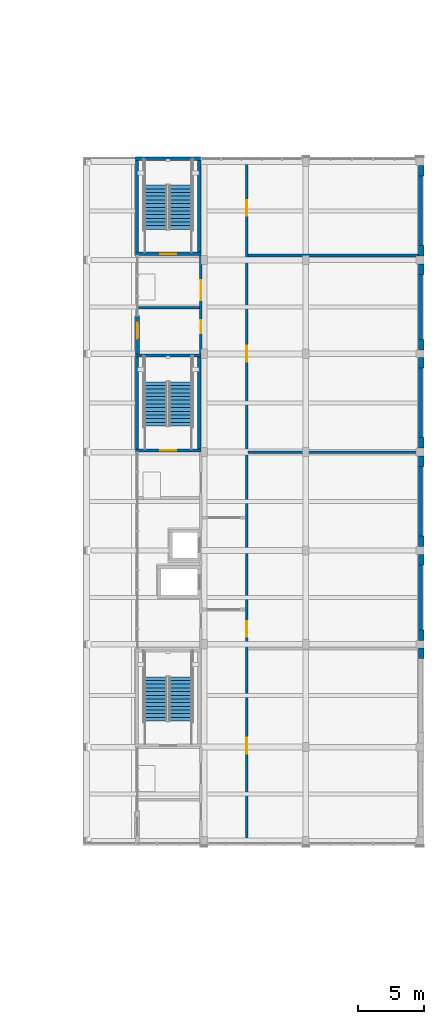
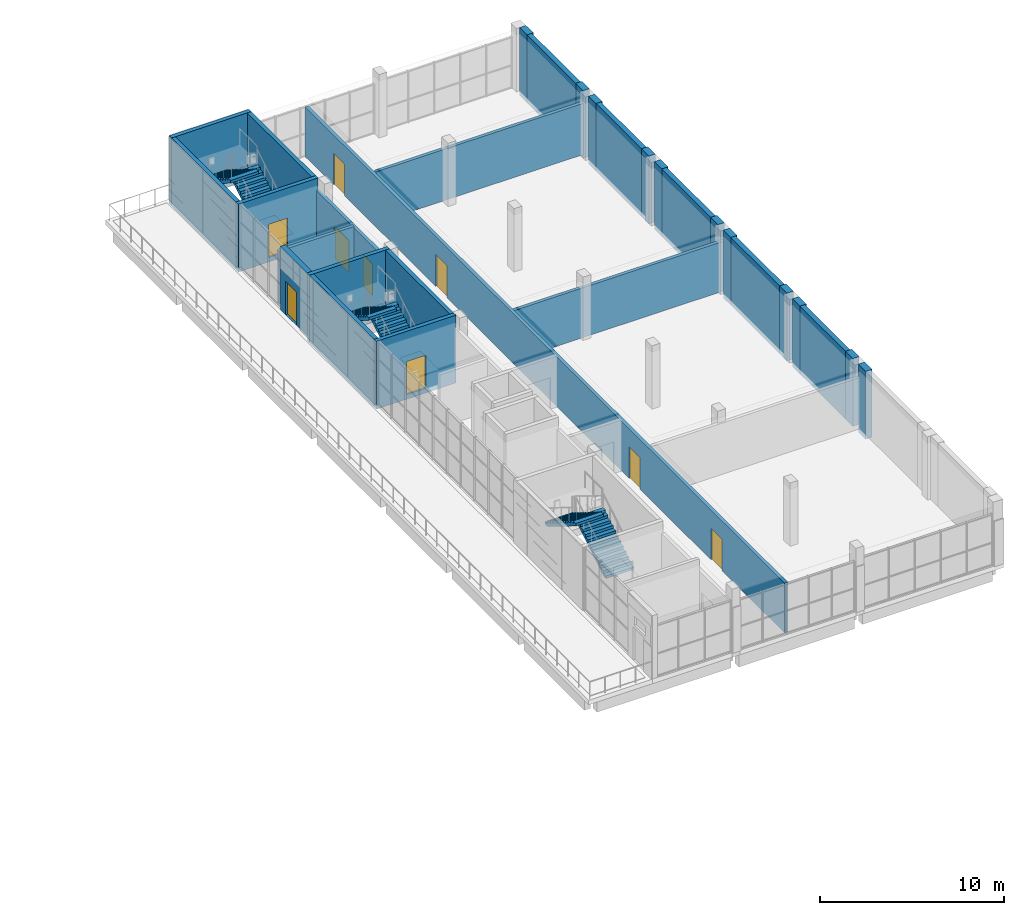
# One storey, part 28 of 36: 30 walls, 9 doors, 6 stair flights, 9 openings, 3 elements without a shape of their own.
"""IFC4 building model written with IfcOpenShell, lengths in metres."""

from ifc_helpers import new_model, si_unit, direction, frame, frame_2d, origin, place, context, subcontext, project, spatial, polyline, rectangle, outline, extrude, material, layer, layer_set, type_object, element, fill, aggregate, save


model = new_model("IFC4")

# Units and contexts
model_context = context("Model", 3, precision=1e-05, world=origin(), true_north=direction((0.0, 1.0)))
body_context = subcontext(model_context, "Body", "Model", "MODEL_VIEW")
ifc_project = project(units=[si_unit("LENGTHUNIT", "METRE"), si_unit("AREAUNIT", "SQUARE_METRE"), si_unit("VOLUMEUNIT", "CUBIC_METRE"), si_unit("PLANEANGLEUNIT", "RADIAN"), si_unit("MASSUNIT", "GRAM", prefix="KILO")], contexts=[model_context])

# Site, building, storey
site_placement = place(None, origin())
site = spatial("IfcSite", under=ifc_project, at=site_placement, CompositionType="ELEMENT")
building_placement = place(site_placement, origin())
building = spatial("IfcBuilding", under=site, at=building_placement, Name="Sun Court Science Centre", CompositionType="ELEMENT")
storey_placement = place(building_placement, frame((0.0, 0.0, 24.75)))
storey = spatial("IfcBuildingStorey", under=building, at=storey_placement, Name="L05", CompositionType="ELEMENT", Elevation=24.75)

# Wall, opening, door
ifc_material_1 = material(Name="Clay masonry", Category="masonry")
ifc_layer_1 = layer(ifc_material_1, 0.300048828125)
ifc_layer_set_1 = layer_set([ifc_layer_1], Name="Clay masonry")
wall_type_1 = type_object("IfcWallType", Name="Clay masonry infill wall 300", PredefinedType="SOLIDWALL", material=ifc_layer_set_1)
wall_1_placement = place(storey_placement, frame((82.14990234375, 66.0, 0.0), z_axis=(0.0, 0.0, 1.0), x_axis=(0.0, 1.0, 0.0)))
wall_1 = element("IfcWall", 1, at=wall_1_placement, inside=storey, type_object=wall_type_1, Name="External infill wall L05 west face of the terrace level 02", PredefinedType="SOLIDWALL", context=body_context, shape_type="SweptSolid", body=[
    extrude(rectangle(XDim=2.909912109375, YDim=0.300048828125, at=frame_2d((1.455078125, 0.0))), origin(), (0.0, 0.0, 1.0), 4.199951171875),
])
opening_1_placement = place(wall_1_placement, frame((1.14990234375, 0.0, 0.0)))
opening_1 = element("IfcOpeningElement", 2, at=opening_1_placement, cuts=wall_1, Name="Opening D-L05-019", PredefinedType="OPENING", context=body_context, shape_type="SweptSolid", body=[
    extrude(rectangle(XDim=1.199951171875, YDim=2.199951171875, at=frame_2d((0.60009765625, 1.10009765625))), frame((0.0, 0.159912109375, 0.0), z_axis=(0.0, -1.0, 0.0), x_axis=(1.0, 0.0, 0.0)), (0.0, 0.0, 1.0), 0.320068359375),
])
ifc_material_2 = material(Name="Steel and glass", Category="steel")
door_type_1 = type_object("IfcDoorType", Name="Exterior door 1200 x 2200 single", OperationType="SINGLE_SWING_LEFT", PredefinedType="DOOR", material=ifc_material_2)
door_1_placement = place(opening_1_placement, origin())
door_1 = element("IfcDoor", 3, at=door_1_placement, inside=storey, type_object=door_type_1, Name="Exterior door D-L05-019 to the west terrace", OperationType="SINGLE_SWING_RIGHT", OverallHeight=2.199951171875, OverallWidth=1.199951171875, PredefinedType="DOOR", context=body_context, shape_type="SweptSolid", body=[
    extrude(rectangle(XDim=1.199951171875, YDim=2.199951171875, at=frame_2d((0.60009765625, 1.10009765625))), frame((0.0, 0.02490234375, 0.0), z_axis=(0.0, -1.0, 0.0), x_axis=(1.0, 0.0, 0.0)), (0.0, 0.0, 1.0), 0.050048828125),
])
fill(opening_1, door_1)

# Walls
ifc_material_3 = material(Name="Gypsum board")
ifc_layer_2 = layer(ifc_material_3, 0.199951171875)
ifc_layer_set_2 = layer_set([ifc_layer_2], Name="Gypsum board")
wall_type_2 = type_object("IfcWallType", Name="Partition 200 acoustic double stud", PredefinedType="PARTITIONING", material=ifc_layer_set_2)
wall_2_placement = place(storey_placement, frame((90.60009765625, 58.5, 0.0), z_axis=(0.0, 0.0, 1.0), x_axis=(1.0, 0.0, 0.0)))
element("IfcWall", 4, at=wall_2_placement, inside=storey, type_object=wall_type_2, Name="L05 partition 007", PredefinedType="PARTITIONING", context=body_context, shape_type="SweptSolid", body=[
    extrude(rectangle(XDim=13.199951171875, YDim=0.199951171875, at=frame_2d((6.60009765625, 0.0))), origin(), (0.0, 0.0, 1.0), 3.300048828125),
])
wall_3_placement = place(storey_placement, frame((90.60009765625, 73.5, 0.0), z_axis=(0.0, 0.0, 1.0), x_axis=(1.0, 0.0, 0.0)))
element("IfcWall", 5, at=wall_3_placement, inside=storey, type_object=wall_type_2, Name="L05 partition 009", PredefinedType="PARTITIONING", context=body_context, shape_type="SweptSolid", body=[
    extrude(rectangle(XDim=12.997802734375, YDim=0.199951171875, at=frame_2d((6.4990234375, 0.0))), origin(), (0.0, 0.0, 1.0), 3.39990234375),
])
ifc_material_4 = material(Name="Concrete block", Category="concrete")
ifc_layer_3 = layer(ifc_material_4, 0.199951171875)
ifc_layer_set_3 = layer_set([ifc_layer_3], Name="Concrete block")
wall_type_3 = type_object("IfcWallType", Name="Partition 200 block EI60", PredefinedType="PARTITIONING", material=ifc_layer_set_3)
wall_4_placement = place(storey_placement, frame((82.199951171875, 69.5, 0.0), z_axis=(0.0, 0.0, 1.0), x_axis=(1.0, 0.0, 0.0)))
element("IfcWall", 6, at=wall_4_placement, inside=storey, type_object=wall_type_3, Name="L05 partition 008", PredefinedType="PARTITIONING", context=body_context, shape_type="SweptSolid", body=[
    extrude(rectangle(XDim=4.699951171875, YDim=0.199951171875, at=frame_2d((2.35009765625, 0.0))), origin(), (0.0, 0.0, 1.0), 3.5),
])

# Wall, openings, doors
ifc_material_5 = material(Name="Concrete block", Category="concrete")
ifc_layer_4 = layer(ifc_material_5, 0.199951171875)
ifc_layer_set_4 = layer_set([ifc_layer_4], Name="Concrete block")
wall_type_4 = type_object("IfcWallType", Name="Partition 200 corridor block EI120", PredefinedType="PARTITIONING", material=ifc_layer_set_4)
wall_5_placement = place(storey_placement, frame((90.5, 80.800048828125, 0.0), z_axis=(0.0, 0.0, 1.0), x_axis=(0.0, -1.0, 0.0)))
wall_5 = element("IfcWall", 7, at=wall_5_placement, inside=storey, type_object=wall_type_4, Name="L05 partition 010", PredefinedType="PARTITIONING", context=body_context, shape_type="SweptSolid", body=[
    extrude(rectangle(XDim=52.10009765625, YDim=0.199951171875, at=frame_2d((26.050048828125, 0.0))), origin(), (0.0, 0.0, 1.0), 3.300048828125),
])
opening_2_placement = place(wall_5_placement, frame((44.10009765625, 0.0, 0.0)))
opening_2 = element("IfcOpeningElement", 8, at=opening_2_placement, cuts=wall_5, Name="Opening D-L05-014", PredefinedType="OPENING", context=body_context, shape_type="SweptSolid", body=[
    extrude(rectangle(XDim=1.199951171875, YDim=2.10009765625, at=frame_2d((0.60009765625, 1.050048828125))), frame((0.0, 0.10986328125, 0.0), z_axis=(0.0, -1.0, 0.0), x_axis=(1.0, 0.0, 0.0)), (0.0, 0.0, 1.0), 0.219970703125),
])
opening_3_placement = place(wall_5_placement, frame((35.198974609375, 0.0, 0.0)))
opening_3 = element("IfcOpeningElement", 9, at=opening_3_placement, cuts=wall_5, Name="Opening D-L05-015", PredefinedType="OPENING", context=body_context, shape_type="SweptSolid", body=[
    extrude(rectangle(XDim=1.199951171875, YDim=2.10009765625, at=frame_2d((0.60009765625, 1.050048828125))), frame((0.0, 0.10986328125, 0.0), z_axis=(0.0, -1.0, 0.0), x_axis=(1.0, 0.0, 0.0)), (0.0, 0.0, 1.0), 0.219970703125),
])
opening_4_placement = place(wall_5_placement, frame((14.199951171875, 0.0, 0.0)))
opening_4 = element("IfcOpeningElement", 10, at=opening_4_placement, cuts=wall_5, Name="Opening D-L05-016", PredefinedType="OPENING", context=body_context, shape_type="SweptSolid", body=[
    extrude(rectangle(XDim=1.199951171875, YDim=2.10009765625, at=frame_2d((0.60009765625, 1.050048828125))), frame((0.0, 0.10986328125, 0.0), z_axis=(0.0, -1.0, 0.0), x_axis=(1.0, 0.0, 0.0)), (0.0, 0.0, 1.0), 0.219970703125),
])
opening_5_placement = place(wall_5_placement, frame((3.074951171875, 0.0, 0.0)))
opening_5 = element("IfcOpeningElement", 11, at=opening_5_placement, cuts=wall_5, Name="Opening D-L05-017", PredefinedType="OPENING", context=body_context, shape_type="SweptSolid", body=[
    extrude(rectangle(XDim=1.199951171875, YDim=2.10009765625, at=frame_2d((0.60009765625, 1.050048828125))), frame((0.0, 0.10986328125, 0.0), z_axis=(0.0, -1.0, 0.0), x_axis=(1.0, 0.0, 0.0)), (0.0, 0.0, 1.0), 0.219970703125),
])
ifc_material_6 = material(Name="Steel", Category="steel")
door_type_2 = type_object("IfcDoorType", Name="Door 1200x2100 single leaf FD60", OperationType="NOTDEFINED", PredefinedType="DOOR", material=ifc_material_6)
door_2_placement = place(opening_2_placement, origin())
door_2 = element("IfcDoor", 12, at=door_2_placement, inside=storey, type_object=door_type_2, Name="Door D-L05-014", OperationType="SINGLE_SWING_LEFT", OverallHeight=2.10009765625, OverallWidth=1.199951171875, PredefinedType="DOOR", context=body_context, shape_type="SweptSolid", body=[
    extrude(rectangle(XDim=1.199951171875, YDim=2.10009765625, at=frame_2d((0.60009765625, 1.050048828125))), frame((0.0, 0.02490234375, 0.0), z_axis=(0.0, -1.0, 0.0), x_axis=(1.0, 0.0, 0.0)), (0.0, 0.0, 1.0), 0.050048828125),
])
fill(opening_2, door_2)
door_3_placement = place(opening_3_placement, origin())
door_3 = element("IfcDoor", 13, at=door_3_placement, inside=storey, type_object=door_type_2, Name="Door D-L05-015", OperationType="SINGLE_SWING_LEFT", OverallHeight=2.10009765625, OverallWidth=1.199951171875, PredefinedType="DOOR", context=body_context, shape_type="SweptSolid", body=[
    extrude(rectangle(XDim=1.199951171875, YDim=2.10009765625, at=frame_2d((0.60009765625, 1.050048828125))), frame((0.0, 0.02490234375, 0.0), z_axis=(0.0, -1.0, 0.0), x_axis=(1.0, 0.0, 0.0)), (0.0, 0.0, 1.0), 0.050048828125),
])
fill(opening_3, door_3)
door_4_placement = place(opening_4_placement, origin())
door_4 = element("IfcDoor", 14, at=door_4_placement, inside=storey, type_object=door_type_2, Name="Door D-L05-016", OperationType="SINGLE_SWING_RIGHT", OverallHeight=2.10009765625, OverallWidth=1.199951171875, PredefinedType="DOOR", context=body_context, shape_type="SweptSolid", body=[
    extrude(rectangle(XDim=1.199951171875, YDim=2.10009765625, at=frame_2d((0.60009765625, 1.050048828125))), frame((0.0, 0.02490234375, 0.0), z_axis=(0.0, -1.0, 0.0), x_axis=(1.0, 0.0, 0.0)), (0.0, 0.0, 1.0), 0.050048828125),
])
fill(opening_4, door_4)
door_5_placement = place(opening_5_placement, origin())
door_5 = element("IfcDoor", 15, at=door_5_placement, inside=storey, type_object=door_type_2, Name="Door D-L05-017", OperationType="SINGLE_SWING_RIGHT", OverallHeight=2.10009765625, OverallWidth=1.199951171875, PredefinedType="DOOR", context=body_context, shape_type="SweptSolid", body=[
    extrude(rectangle(XDim=1.199951171875, YDim=2.10009765625, at=frame_2d((0.60009765625, 1.050048828125))), frame((0.0, 0.02490234375, 0.0), z_axis=(0.0, -1.0, 0.0), x_axis=(1.0, 0.0, 0.0)), (0.0, 0.0, 1.0), 0.050048828125),
])
fill(opening_5, door_5)

wall_6_placement = place(storey_placement, frame((87.0, 66.001953125, 0.0), z_axis=(0.0, 0.0, 1.0), x_axis=(0.0, 1.0, 0.0)))
wall_6 = element("IfcWall", 16, at=wall_6_placement, inside=storey, type_object=wall_type_4, Name="L05 partition 015", PredefinedType="PARTITIONING", context=body_context, shape_type="SweptSolid", body=[
    extrude(rectangle(XDim=7.49609375, YDim=0.199951171875, at=frame_2d((3.748046875, 0.0))), origin(), (0.0, 0.0, 1.0), 3.39990234375),
])
opening_6_placement = place(wall_6_placement, frame((4.097900390625, 0.0, 0.0)))
opening_6 = element("IfcOpeningElement", 17, at=opening_6_placement, cuts=wall_6, Name="Opening D-L05-010", PredefinedType="OPENING", context=body_context, shape_type="SweptSolid", body=[
    extrude(rectangle(XDim=1.5, YDim=2.10009765625, at=frame_2d((0.75, 1.050048828125))), frame((0.0, 0.10986328125, 0.0), z_axis=(0.0, -1.0, 0.0), x_axis=(1.0, 0.0, 0.0)), (0.0, 0.0, 1.0), 0.219970703125),
])
opening_7_placement = place(wall_6_placement, frame((1.548095703125, 0.0, 0.0)))
opening_7 = element("IfcOpeningElement", 18, at=opening_7_placement, cuts=wall_6, Name="Opening D-L05-013", PredefinedType="OPENING", context=body_context, shape_type="SweptSolid", body=[
    extrude(rectangle(XDim=1.0, YDim=2.10009765625, at=frame_2d((0.5, 1.050048828125))), frame((0.0, 0.10986328125, 0.0), z_axis=(0.0, -1.0, 0.0), x_axis=(1.0, 0.0, 0.0)), (0.0, 0.0, 1.0), 0.219970703125),
])
ifc_material_7 = material(Name="Steel", Category="steel")
door_type_3 = type_object("IfcDoorType", Name="Door 1000x2100 single leaf FD30S", OperationType="NOTDEFINED", PredefinedType="DOOR", material=ifc_material_7)
door_6_placement = place(opening_7_placement, origin())
door_6 = element("IfcDoor", 19, at=door_6_placement, inside=storey, type_object=door_type_3, Name="Door D-L05-013", OperationType="SINGLE_SWING_RIGHT", OverallHeight=2.10009765625, OverallWidth=1.0, PredefinedType="DOOR", context=body_context, shape_type="SweptSolid", body=[
    extrude(rectangle(XDim=1.0, YDim=2.10009765625, at=frame_2d((0.5, 1.050048828125))), frame((0.0, 0.02490234375, 0.0), z_axis=(0.0, -1.0, 0.0), x_axis=(1.0, 0.0, 0.0)), (0.0, 0.0, 1.0), 0.050048828125),
])
fill(opening_7, door_6)
ifc_material_8 = material(Name="Steel", Category="steel")
door_type_4 = type_object("IfcDoorType", Name="Door 1500x2100 double leaf FD60", OperationType="DOUBLE_DOOR_SINGLE_SWING", PredefinedType="DOOR", material=ifc_material_8)
door_7_placement = place(opening_6_placement, origin())
door_7 = element("IfcDoor", 20, at=door_7_placement, inside=storey, type_object=door_type_4, Name="Door D-L05-010", OperationType="DOUBLE_DOOR_SINGLE_SWING", OverallHeight=2.10009765625, OverallWidth=1.5, PredefinedType="DOOR", context=body_context, shape_type="SweptSolid", body=[
    extrude(rectangle(XDim=1.5, YDim=2.10009765625, at=frame_2d((0.75, 1.050048828125))), frame((0.0, 0.02490234375, 0.0), z_axis=(0.0, -1.0, 0.0), x_axis=(1.0, 0.0, 0.0)), (0.0, 0.0, 1.0), 0.050048828125),
])
fill(opening_6, door_7)

# Walls
ifc_material_9 = material(Name="Concrete C30/37", Category="concrete")
ifc_layer_5 = layer(ifc_material_9, 0.39990234375)
ifc_layer_set_5 = layer_set([ifc_layer_5], Name="Concrete C30/37")
wall_type_5 = type_object("IfcWallType", Name="RC party wall exterior 400", PredefinedType="SOLIDWALL", material=ifc_layer_set_5)
for number, where, z_axis, x_axis, name in (
    (21, (103.800048828125, 42.75, -0.300048828125), (0.0, 0.0, 1.0), (0.0, 1.0, 0.0), "East party wall L05"),
    (22, (103.800048828125, 44.14990234375, -0.300048828125), (0.0, 0.0, 1.0), (0.0, 1.0, 0.0), "East party wall L05"),
    (23, (103.800048828125, 49.89990234375, -0.300048828125), (0.0, 0.0, 1.0), (0.0, 1.0, 0.0), "East party wall L05"),
    (24, (103.800048828125, 51.300048828125, -0.300048828125), (0.0, 0.0, 1.0), (0.0, 1.0, 0.0), "East party wall L05"),
    (25, (103.800048828125, 57.39990234375, -0.300048828125), (0.0, 0.0, 1.0), (0.0, 1.0, 0.0), "East party wall L05"),
    (26, (103.800048828125, 58.800048828125, -0.300048828125), (0.0, 0.0, 1.0), (0.0, 1.0, 0.0), "East party wall L05"),
    (27, (103.800048828125, 64.89990234375, -0.300048828125), (0.0, 0.0, 1.0), (0.0, 1.0, 0.0), "East party wall L05"),
    (28, (103.800048828125, 66.300048828125, -0.300048828125), (0.0, 0.0, 1.0), (0.0, 1.0, 0.0), "East party wall L05"),
    (29, (103.800048828125, 72.050048828125, -0.300048828125), (0.0, 0.0, 1.0), (0.0, 1.0, 0.0), "East party wall L05"),
    (30, (103.800048828125, 73.449951171875, -0.300048828125), (0.0, 0.0, 1.0), (0.0, 1.0, 0.0), "East party wall L05"),
    (31, (103.800048828125, 79.550048828125, -0.300048828125), (0.0, 0.0, 1.0), (0.0, 1.0, 0.0), "East party wall L05"),
):
    element("IfcWall", number, at=place(storey_placement, frame(where, z_axis=z_axis, x_axis=x_axis)), inside=storey, type_object=wall_type_5, Name=name, PredefinedType="SOLIDWALL", context=body_context, shape_type="SweptSolid", body=[
        extrude(rectangle(XDim=0.800048828125, YDim=0.39990234375, at=frame_2d((0.39990234375, 0.0))), origin(), (0.0, 0.0, 1.0), 4.5),
    ])
ifc_material_10 = material(Name="Concrete C30/37", Category="concrete")
ifc_layer_6 = layer(ifc_material_10, 0.300048828125)
ifc_layer_set_6 = layer_set([ifc_layer_6], Name="Concrete C30/37")
wall_type_6 = type_object("IfcWallType", Name="RC party wall panel exterior 300", PredefinedType="SOLIDWALL", material=ifc_layer_set_6)
wall_7_placement = place(storey_placement, frame((103.75, 44.949951171875, -0.300048828125), z_axis=(0.0, 0.0, 1.0), x_axis=(0.0, 1.0, 0.0)))
element("IfcWall", 32, at=wall_7_placement, inside=storey, type_object=wall_type_6, Name="East party wall L05 panel", PredefinedType="SOLIDWALL", context=body_context, shape_type="SweptSolid", body=[
    extrude(rectangle(XDim=4.949951171875, YDim=0.300048828125, at=frame_2d((2.47509765625, 0.0))), origin(), (0.0, 0.0, 1.0), 4.5),
])
for number, where, z_axis, x_axis, name in (
    (33, (103.75, 52.10009765625, -0.300048828125), (0.0, 0.0, 1.0), (0.0, 1.0, 0.0), "East party wall L05 panel"),
    (34, (103.75, 59.60009765625, -0.300048828125), (0.0, 0.0, 1.0), (0.0, 1.0, 0.0), "East party wall L05 panel"),
):
    element("IfcWall", number, at=place(storey_placement, frame(where, z_axis=z_axis, x_axis=x_axis)), inside=storey, type_object=wall_type_6, Name=name, PredefinedType="SOLIDWALL", context=body_context, shape_type="SweptSolid", body=[
        extrude(rectangle(XDim=5.2998046875, YDim=0.300048828125, at=frame_2d((2.64990234375, 0.0))), origin(), (0.0, 0.0, 1.0), 4.5),
    ])
wall_8_placement = place(storey_placement, frame((103.75, 67.10009765625, -0.300048828125), z_axis=(0.0, 0.0, 1.0), x_axis=(0.0, 1.0, 0.0)))
element("IfcWall", 35, at=wall_8_placement, inside=storey, type_object=wall_type_6, Name="East party wall L05 panel", PredefinedType="SOLIDWALL", context=body_context, shape_type="SweptSolid", body=[
    extrude(rectangle(XDim=4.949951171875, YDim=0.300048828125, at=frame_2d((2.47509765625, 0.0))), origin(), (0.0, 0.0, 1.0), 4.5),
])
wall_9_placement = place(storey_placement, frame((103.75, 74.25, -0.300048828125), z_axis=(0.0, 0.0, 1.0), x_axis=(0.0, 1.0, 0.0)))
element("IfcWall", 36, at=wall_9_placement, inside=storey, type_object=wall_type_6, Name="East party wall L05 panel", PredefinedType="SOLIDWALL", context=body_context, shape_type="SweptSolid", body=[
    extrude(rectangle(XDim=5.300048828125, YDim=0.300048828125, at=frame_2d((2.64990234375, 0.0))), origin(), (0.0, 0.0, 1.0), 4.5),
])

# Wall, opening, door
ifc_material_11 = material(Name="Concrete C30/37", Category="concrete")
ifc_layer_7 = layer(ifc_material_11, 0.25)
ifc_layer_set_7 = layer_set([ifc_layer_7], Name="Concrete C30/37")
wall_type_7 = type_object("IfcWallType", Name="RC stair core wall 250", PredefinedType="SHEAR", material=ifc_layer_set_7)
wall_10_placement = place(storey_placement, frame((82.0, 58.625, -0.300048828125), z_axis=(0.0, 0.0, 1.0), x_axis=(1.0, 0.0, 0.0)))
wall_10 = element("IfcWall", 37, at=wall_10_placement, inside=storey, type_object=wall_type_7, Name="Stair core SL3 wall S, L05", PredefinedType="SHEAR", context=body_context, shape_type="SweptSolid", body=[
    extrude(rectangle(XDim=5.0, YDim=0.25, at=frame_2d((2.5, 0.0))), origin(), (0.0, 0.0, 1.0), 4.5),
])
opening_8_placement = place(wall_10_placement, frame((1.89892578125, 0.0, 0.300048828125)))
opening_8 = element("IfcOpeningElement", 38, at=opening_8_placement, cuts=wall_10, Name="Opening D-L05-007", PredefinedType="OPENING", context=body_context, shape_type="SweptSolid", body=[
    extrude(rectangle(XDim=1.199951171875, YDim=2.199951171875, at=frame_2d((0.60009765625, 1.10009765625))), frame((0.0, 0.135009765625, 0.0), z_axis=(0.0, -1.0, 0.0), x_axis=(1.0, 0.0, 0.0)), (0.0, 0.0, 1.0), 0.27001953125),
])
ifc_material_12 = material(Name="Steel", Category="steel")
door_type_5 = type_object("IfcDoorType", Name="Door 1200x2200 single leaf FD60", OperationType="NOTDEFINED", PredefinedType="DOOR", material=ifc_material_12)
door_8_placement = place(opening_8_placement, origin())
door_8 = element("IfcDoor", 39, at=door_8_placement, inside=storey, type_object=door_type_5, Name="Door D-L05-007", OperationType="SINGLE_SWING_RIGHT", OverallHeight=2.199951171875, OverallWidth=1.199951171875, PredefinedType="DOOR", context=body_context, shape_type="SweptSolid", body=[
    extrude(rectangle(XDim=1.199951171875, YDim=2.199951171875, at=frame_2d((0.60009765625, 1.10009765625))), frame((0.0, 0.02490234375, 0.0), z_axis=(0.0, -1.0, 0.0), x_axis=(1.0, 0.0, 0.0)), (0.0, 0.0, 1.0), 0.050048828125),
])
fill(opening_8, door_8)

# Walls
wall_11_placement = place(storey_placement, frame((86.875, 58.75, -0.300048828125), z_axis=(0.0, 0.0, 1.0), x_axis=(0.0, 1.0, 0.0)))
element("IfcWall", 40, at=wall_11_placement, inside=storey, type_object=wall_type_7, Name="Stair core SL3 wall E, L05", PredefinedType="SHEAR", context=body_context, shape_type="SweptSolid", body=[
    extrude(rectangle(XDim=7.0, YDim=0.25, at=frame_2d((3.5, 0.0))), origin(), (0.0, 0.0, 1.0), 4.5),
])
wall_12_placement = place(storey_placement, frame((82.0, 65.875, -0.300048828125), z_axis=(0.0, 0.0, 1.0), x_axis=(1.0, 0.0, 0.0)))
element("IfcWall", 41, at=wall_12_placement, inside=storey, type_object=wall_type_7, Name="Stair core SL3 wall N, L05", PredefinedType="SHEAR", context=body_context, shape_type="SweptSolid", body=[
    extrude(rectangle(XDim=5.0, YDim=0.25, at=frame_2d((2.5, 0.0))), origin(), (0.0, 0.0, 1.0), 4.5),
])
wall_13_placement = place(storey_placement, frame((82.125, 58.75, -0.300048828125), z_axis=(0.0, 0.0, 1.0), x_axis=(0.0, 1.0, 0.0)))
element("IfcWall", 42, at=wall_13_placement, inside=storey, type_object=wall_type_7, Name="Stair core SL3 wall W, L05", PredefinedType="SHEAR", context=body_context, shape_type="SweptSolid", body=[
    extrude(rectangle(XDim=7.0, YDim=0.25, at=frame_2d((3.5, 0.0))), origin(), (0.0, 0.0, 1.0), 4.5),
])

# Wall, opening, door
wall_14_placement = place(storey_placement, frame((82.0, 73.625, -0.300048828125), z_axis=(0.0, 0.0, 1.0), x_axis=(1.0, 0.0, 0.0)))
wall_14 = element("IfcWall", 43, at=wall_14_placement, inside=storey, type_object=wall_type_7, Name="Stair core SL4 wall S, L05", PredefinedType="SHEAR", context=body_context, shape_type="SweptSolid", body=[
    extrude(rectangle(XDim=5.0, YDim=0.25, at=frame_2d((2.5, 0.0))), origin(), (0.0, 0.0, 1.0), 4.5),
])
opening_9_placement = place(wall_14_placement, frame((1.89892578125, 0.0, 0.300048828125)))
opening_9 = element("IfcOpeningElement", 44, at=opening_9_placement, cuts=wall_14, Name="Opening D-L05-009", PredefinedType="OPENING", context=body_context, shape_type="SweptSolid", body=[
    extrude(rectangle(XDim=1.199951171875, YDim=2.199951171875, at=frame_2d((0.60009765625, 1.10009765625))), frame((0.0, 0.135009765625, 0.0), z_axis=(0.0, -1.0, 0.0), x_axis=(1.0, 0.0, 0.0)), (0.0, 0.0, 1.0), 0.27001953125),
])
door_9_placement = place(opening_9_placement, origin())
door_9 = element("IfcDoor", 45, at=door_9_placement, inside=storey, type_object=door_type_5, Name="Door D-L05-009", OperationType="SINGLE_SWING_RIGHT", OverallHeight=2.199951171875, OverallWidth=1.199951171875, PredefinedType="DOOR", context=body_context, shape_type="SweptSolid", body=[
    extrude(rectangle(XDim=1.199951171875, YDim=2.199951171875, at=frame_2d((0.60009765625, 1.10009765625))), frame((0.0, 0.02490234375, 0.0), z_axis=(0.0, -1.0, 0.0), x_axis=(1.0, 0.0, 0.0)), (0.0, 0.0, 1.0), 0.050048828125),
])
fill(opening_9, door_9)

# Walls
wall_15_placement = place(storey_placement, frame((86.875, 73.75, -0.300048828125), z_axis=(0.0, 0.0, 1.0), x_axis=(0.0, 1.0, 0.0)))
element("IfcWall", 46, at=wall_15_placement, inside=storey, type_object=wall_type_7, Name="Stair core SL4 wall E, L05", PredefinedType="SHEAR", context=body_context, shape_type="SweptSolid", body=[
    extrude(rectangle(XDim=7.0, YDim=0.25, at=frame_2d((3.5, 0.0))), origin(), (0.0, 0.0, 1.0), 4.5),
])
wall_16_placement = place(storey_placement, frame((82.0, 80.875, -0.300048828125), z_axis=(0.0, 0.0, 1.0), x_axis=(1.0, 0.0, 0.0)))
element("IfcWall", 47, at=wall_16_placement, inside=storey, type_object=wall_type_7, Name="Stair core SL4 wall N, L05", PredefinedType="SHEAR", context=body_context, shape_type="SweptSolid", body=[
    extrude(rectangle(XDim=5.0, YDim=0.25, at=frame_2d((2.5, 0.0))), origin(), (0.0, 0.0, 1.0), 4.5),
])
wall_17_placement = place(storey_placement, frame((82.125, 73.75, -0.300048828125), z_axis=(0.0, 0.0, 1.0), x_axis=(0.0, 1.0, 0.0)))
element("IfcWall", 48, at=wall_17_placement, inside=storey, type_object=wall_type_7, Name="Stair core SL4 wall W, L05", PredefinedType="SHEAR", context=body_context, shape_type="SweptSolid", body=[
    extrude(rectangle(XDim=7.0, YDim=0.25, at=frame_2d((3.5, 0.0))), origin(), (0.0, 0.0, 1.0), 4.5),
])

# Stair, stair flights
ifc_material_13 = material(Name="Concrete C25/30", Category="concrete")
stair_type = type_object("IfcStairType", Name="Stair 1500 enclosed half-turn", PredefinedType="HALF_TURN_STAIR", material=ifc_material_13)
stair_1_placement = place(storey_placement, origin())
stair_1 = element("IfcStair", 49, at=stair_1_placement, inside=storey, type_object=stair_type, Name="L05 Stair SL2", PredefinedType="HALF_TURN_STAIR")
ifc_material_14 = material(Name="Concrete C25/30", Category="concrete")
stair_flight_type = type_object("IfcStairFlightType", Name="Stair flight 1500 with waist", PredefinedType="STRAIGHT", material=ifc_material_14)
stair_flight_1_placement = place(storey_placement, frame((85.448974609375, 37.998046875, 0.0), z_axis=(0.0, 0.0, 1.0), x_axis=(0.0, 1.0, 0.0)))
stair_flight_1 = element("IfcStairFlight", 50, at=stair_flight_1_placement, type_object=stair_flight_type, Name="SL2 flight 1", NumberOfRisers=13, NumberOfTreads=12, PredefinedType="STRAIGHT", RiserHeight=0.173076923, TreadLength=0.28, context=body_context, shape_type="SweptSolid", body=[
    extrude(outline(polyline([(0.0, 0.0), (0.0, 0.173095703125), (0.280029296875, 0.173095703125), (0.280029296875, 0.34619140625), (0.56005859375, 0.34619140625), (0.56005859375, 0.519287109375), (0.840087890625, 0.519287109375), (0.840087890625, 0.6923828125), (1.1201171875, 0.6923828125), (1.1201171875, 0.865478515625), (1.39990234375, 0.865478515625), (1.39990234375, 1.03857421875), (1.679931640625, 1.03857421875), (1.679931640625, 1.21142578125), (1.9599609375, 1.21142578125), (1.9599609375, 1.384521484375), (2.239990234375, 1.384521484375), (2.239990234375, 1.5576171875), (2.52001953125, 1.5576171875), (2.52001953125, 1.730712890625), (2.800048828125, 1.730712890625), (2.800048828125, 1.90380859375), (3.080078125, 1.90380859375), (3.080078125, 2.076904296875), (3.360107421875, 2.076904296875), (3.360107421875, 2.25), (3.360107421875, 1.900634765625), (0.28515625, 0.0), (0.0, 0.0)])), frame((0.0, 0.8740234375, 0.0), z_axis=(0.0, -1.0, 0.0), x_axis=(1.0, 0.0, 0.0)), (0.0, 0.0, 1.0), 1.748046875),
])
stair_flight_2_placement = place(storey_placement, frame((83.551025390625, 41.35791015625, 2.25), z_axis=(0.0, 0.0, 1.0), x_axis=(0.0, -1.0, 0.0)))
stair_flight_2 = element("IfcStairFlight", 51, at=stair_flight_2_placement, type_object=stair_flight_type, Name="SL2 flight 2", NumberOfRisers=13, NumberOfTreads=12, PredefinedType="STRAIGHT", RiserHeight=0.173076923, TreadLength=0.28, context=body_context, shape_type="SweptSolid", body=[
    extrude(outline(polyline([(0.0, 0.0), (0.0, 0.173095703125), (0.280029296875, 0.173095703125), (0.280029296875, 0.34619140625), (0.56005859375, 0.34619140625), (0.56005859375, 0.519287109375), (0.840087890625, 0.519287109375), (0.840087890625, 0.6923828125), (1.1201171875, 0.6923828125), (1.1201171875, 0.865478515625), (1.39990234375, 0.865478515625), (1.39990234375, 1.03857421875), (1.679931640625, 1.03857421875), (1.679931640625, 1.21142578125), (1.9599609375, 1.21142578125), (1.9599609375, 1.384521484375), (2.239990234375, 1.384521484375), (2.239990234375, 1.5576171875), (2.52001953125, 1.5576171875), (2.52001953125, 1.730712890625), (2.800048828125, 1.730712890625), (2.800048828125, 1.90380859375), (3.080078125, 1.90380859375), (3.080078125, 2.076904296875), (3.360107421875, 2.076904296875), (3.360107421875, 2.25), (3.360107421875, 1.900634765625), (0.28515625, 0.0), (0.0, 0.0)])), frame((0.0, 0.8740234375, 0.0), z_axis=(0.0, -1.0, 0.0), x_axis=(1.0, 0.0, 0.0)), (0.0, 0.0, 1.0), 1.748046875),
])
aggregate(stair_1, [stair_flight_1, stair_flight_2])

stair_2_placement = place(storey_placement, origin())
stair_2 = element("IfcStair", 52, at=stair_2_placement, inside=storey, type_object=stair_type, Name="L05 Stair SL3", PredefinedType="HALF_TURN_STAIR")
stair_flight_3_placement = place(storey_placement, frame((85.448974609375, 60.498046875, 0.0), z_axis=(0.0, 0.0, 1.0), x_axis=(0.0, 1.0, 0.0)))
stair_flight_3 = element("IfcStairFlight", 53, at=stair_flight_3_placement, type_object=stair_flight_type, Name="SL3 flight 1", NumberOfRisers=13, NumberOfTreads=12, PredefinedType="STRAIGHT", RiserHeight=0.173076923, TreadLength=0.28, context=body_context, shape_type="SweptSolid", body=[
    extrude(outline(polyline([(0.0, 0.0), (0.0, 0.173095703125), (0.280029296875, 0.173095703125), (0.280029296875, 0.34619140625), (0.56005859375, 0.34619140625), (0.56005859375, 0.519287109375), (0.840087890625, 0.519287109375), (0.840087890625, 0.6923828125), (1.1201171875, 0.6923828125), (1.1201171875, 0.865478515625), (1.39990234375, 0.865478515625), (1.39990234375, 1.03857421875), (1.679931640625, 1.03857421875), (1.679931640625, 1.21142578125), (1.9599609375, 1.21142578125), (1.9599609375, 1.384521484375), (2.239990234375, 1.384521484375), (2.239990234375, 1.5576171875), (2.52001953125, 1.5576171875), (2.52001953125, 1.730712890625), (2.800048828125, 1.730712890625), (2.800048828125, 1.90380859375), (3.080078125, 1.90380859375), (3.080078125, 2.076904296875), (3.360107421875, 2.076904296875), (3.360107421875, 2.25), (3.360107421875, 1.900634765625), (0.28515625, 0.0), (0.0, 0.0)])), frame((0.0, 0.8740234375, 0.0), z_axis=(0.0, -1.0, 0.0), x_axis=(1.0, 0.0, 0.0)), (0.0, 0.0, 1.0), 1.748046875),
])
stair_flight_4_placement = place(storey_placement, frame((83.551025390625, 63.85791015625, 2.25), z_axis=(0.0, 0.0, 1.0), x_axis=(0.0, -1.0, 0.0)))
stair_flight_4 = element("IfcStairFlight", 54, at=stair_flight_4_placement, type_object=stair_flight_type, Name="SL3 flight 2", NumberOfRisers=13, NumberOfTreads=12, PredefinedType="STRAIGHT", RiserHeight=0.173076923, TreadLength=0.28, context=body_context, shape_type="SweptSolid", body=[
    extrude(outline(polyline([(0.0, 0.0), (0.0, 0.173095703125), (0.280029296875, 0.173095703125), (0.280029296875, 0.34619140625), (0.56005859375, 0.34619140625), (0.56005859375, 0.519287109375), (0.840087890625, 0.519287109375), (0.840087890625, 0.6923828125), (1.1201171875, 0.6923828125), (1.1201171875, 0.865478515625), (1.39990234375, 0.865478515625), (1.39990234375, 1.03857421875), (1.679931640625, 1.03857421875), (1.679931640625, 1.21142578125), (1.9599609375, 1.21142578125), (1.9599609375, 1.384521484375), (2.239990234375, 1.384521484375), (2.239990234375, 1.5576171875), (2.52001953125, 1.5576171875), (2.52001953125, 1.730712890625), (2.800048828125, 1.730712890625), (2.800048828125, 1.90380859375), (3.080078125, 1.90380859375), (3.080078125, 2.076904296875), (3.360107421875, 2.076904296875), (3.360107421875, 2.25), (3.360107421875, 1.900634765625), (0.28515625, 0.0), (0.0, 0.0)])), frame((0.0, 0.8740234375, 0.0), z_axis=(0.0, -1.0, 0.0), x_axis=(1.0, 0.0, 0.0)), (0.0, 0.0, 1.0), 1.748046875),
])
aggregate(stair_2, [stair_flight_3, stair_flight_4])

stair_3_placement = place(storey_placement, origin())
stair_3 = element("IfcStair", 55, at=stair_3_placement, inside=storey, type_object=stair_type, Name="L05 Stair SL4", PredefinedType="HALF_TURN_STAIR")
stair_flight_5_placement = place(storey_placement, frame((85.448974609375, 75.498046875, 0.0), z_axis=(0.0, 0.0, 1.0), x_axis=(0.0, 1.0, 0.0)))
stair_flight_5 = element("IfcStairFlight", 56, at=stair_flight_5_placement, type_object=stair_flight_type, Name="SL4 flight 1", NumberOfRisers=13, NumberOfTreads=12, PredefinedType="STRAIGHT", RiserHeight=0.173076923, TreadLength=0.28, context=body_context, shape_type="SweptSolid", body=[
    extrude(outline(polyline([(0.0, 0.0), (0.0, 0.173095703125), (0.280029296875, 0.173095703125), (0.280029296875, 0.34619140625), (0.56005859375, 0.34619140625), (0.56005859375, 0.519287109375), (0.840087890625, 0.519287109375), (0.840087890625, 0.6923828125), (1.1201171875, 0.6923828125), (1.1201171875, 0.865478515625), (1.39990234375, 0.865478515625), (1.39990234375, 1.03857421875), (1.679931640625, 1.03857421875), (1.679931640625, 1.21142578125), (1.9599609375, 1.21142578125), (1.9599609375, 1.384521484375), (2.239990234375, 1.384521484375), (2.239990234375, 1.5576171875), (2.52001953125, 1.5576171875), (2.52001953125, 1.730712890625), (2.800048828125, 1.730712890625), (2.800048828125, 1.90380859375), (3.080078125, 1.90380859375), (3.080078125, 2.076904296875), (3.360107421875, 2.076904296875), (3.360107421875, 2.25), (3.360107421875, 1.900634765625), (0.28515625, 0.0), (0.0, 0.0)])), frame((0.0, 0.8740234375, 0.0), z_axis=(0.0, -1.0, 0.0), x_axis=(1.0, 0.0, 0.0)), (0.0, 0.0, 1.0), 1.748046875),
])
stair_flight_6_placement = place(storey_placement, frame((83.551025390625, 78.85791015625, 2.25), z_axis=(0.0, 0.0, 1.0), x_axis=(0.0, -1.0, 0.0)))
stair_flight_6 = element("IfcStairFlight", 57, at=stair_flight_6_placement, type_object=stair_flight_type, Name="SL4 flight 2", NumberOfRisers=13, NumberOfTreads=12, PredefinedType="STRAIGHT", RiserHeight=0.173076923, TreadLength=0.28, context=body_context, shape_type="SweptSolid", body=[
    extrude(outline(polyline([(0.0, 0.0), (0.0, 0.173095703125), (0.280029296875, 0.173095703125), (0.280029296875, 0.34619140625), (0.56005859375, 0.34619140625), (0.56005859375, 0.519287109375), (0.840087890625, 0.519287109375), (0.840087890625, 0.6923828125), (1.1201171875, 0.6923828125), (1.1201171875, 0.865478515625), (1.39990234375, 0.865478515625), (1.39990234375, 1.03857421875), (1.679931640625, 1.03857421875), (1.679931640625, 1.21142578125), (1.9599609375, 1.21142578125), (1.9599609375, 1.384521484375), (2.239990234375, 1.384521484375), (2.239990234375, 1.5576171875), (2.52001953125, 1.5576171875), (2.52001953125, 1.730712890625), (2.800048828125, 1.730712890625), (2.800048828125, 1.90380859375), (3.080078125, 1.90380859375), (3.080078125, 2.076904296875), (3.360107421875, 2.076904296875), (3.360107421875, 2.25), (3.360107421875, 1.900634765625), (0.28515625, 0.0), (0.0, 0.0)])), frame((0.0, 0.8740234375, 0.0), z_axis=(0.0, -1.0, 0.0), x_axis=(1.0, 0.0, 0.0)), (0.0, 0.0, 1.0), 1.748046875),
])
aggregate(stair_3, [stair_flight_5, stair_flight_6])

save(model, "model.ifc")
